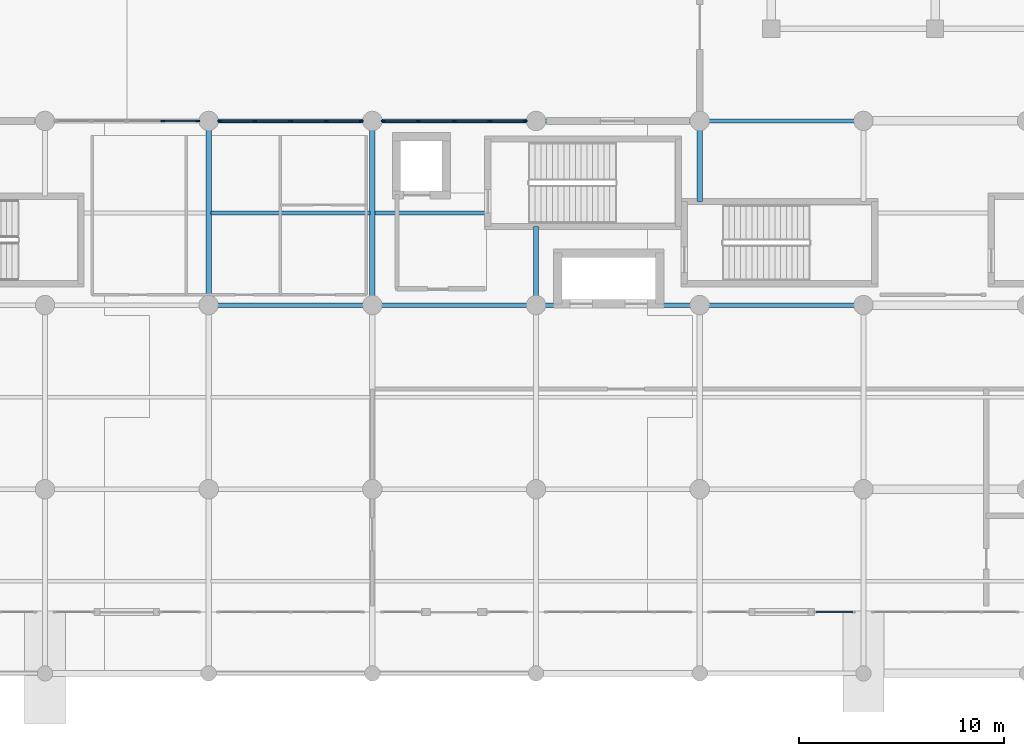
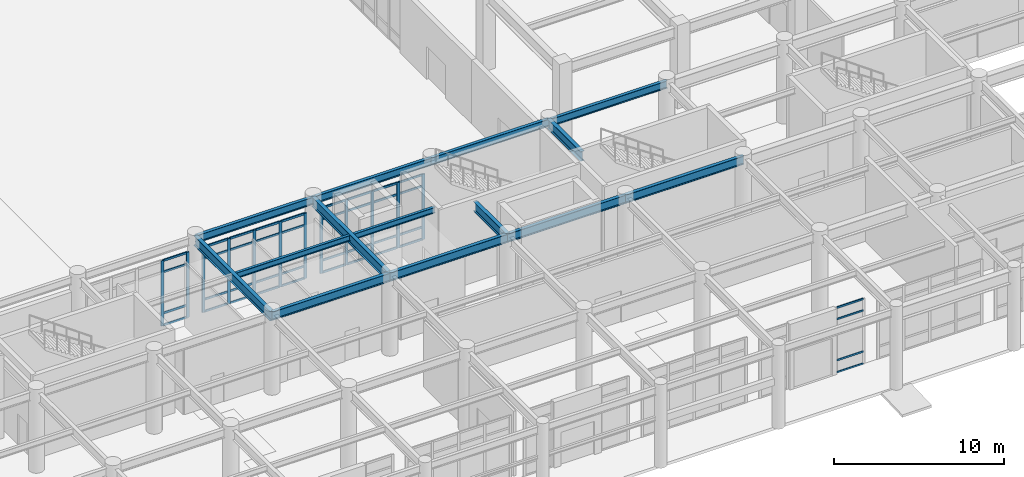
# One storey, part 14 of 49: 52 members, 14 beams, 4 elements without a shape of their own.
"""IFC4 building model written with IfcOpenShell, lengths in metres."""

from ifc_helpers import new_model, si_unit, direction, frame, origin, origin_2d, place, context, subcontext, project, spatial, rectangle, i_section, extrude, material, layer, layer_set, material_profile, profile_set, type_object, element, aggregate, save


model = new_model("IFC4")

# Units and contexts
model_context = context("Model", 3, precision=1e-05, world=origin(), true_north=direction((0.0, 1.0)))
body_context = subcontext(model_context, "Body", "Model", "MODEL_VIEW")
ifc_project = project(units=[si_unit("LENGTHUNIT", "METRE"), si_unit("AREAUNIT", "SQUARE_METRE"), si_unit("VOLUMEUNIT", "CUBIC_METRE"), si_unit("PLANEANGLEUNIT", "RADIAN"), si_unit("MASSUNIT", "GRAM", prefix="KILO")], contexts=[model_context])

# Site, building, storey
site_placement = place(None, origin())
site = spatial("IfcSite", under=ifc_project, at=site_placement, CompositionType="ELEMENT")
building_placement = place(site_placement, origin())
building = spatial("IfcBuilding", under=site, at=building_placement, Name="Tlacozan Convention Centre", CompositionType="ELEMENT")
storey_placement = place(building_placement, origin())
storey = spatial("IfcBuildingStorey", under=building, at=storey_placement, Name="L00", CompositionType="ELEMENT", Elevation=0.0)

# Curtain wall, members
ifc_material_1 = material(Name="Dark Bronze Anodised Aluminium", Category="aluminium")
ifc_layer_1 = layer(ifc_material_1, 0.199951171875)
ifc_layer_set_1 = layer_set([ifc_layer_1], Name="Dark Bronze Anodised Aluminium")
curtain_wall_type_1 = type_object("IfcCurtainWallType", Name="Unitised Courtyard Cloister L00 CW07", PredefinedType="NOTDEFINED", material=ifc_layer_set_1)
curtain_wall_1_placement = place(storey_placement, origin())
curtain_wall_1 = element("IfcCurtainWall", 1, at=curtain_wall_1_placement, inside=storey, type_object=curtain_wall_type_1, Name="L00 CW-07 Run 52", PredefinedType="NOTDEFINED")
ifc_material_profile_1 = material_profile(ifc_material_1, rectangle(XDim=0.074951171875, YDim=0.199951171875, at=origin_2d()), Name="ALU 75x200")
ifc_profile_set_1 = profile_set([ifc_material_profile_1], Name="Dark Bronze Anodised Aluminium")
member_type_1 = type_object("IfcMemberType", Name="Curtain Wall Heavy Mullion 75x200", PredefinedType="MULLION", material=ifc_profile_set_1)
member_1_placement = place(storey_placement, frame((61.75, 27.0, 0.0), z_axis=(0.0, 0.0, 1.0), x_axis=(0.0, 1.0, 0.0)))
member_1 = element("IfcMember", 2, at=member_1_placement, type_object=member_type_1, Name="CW-07 mullion 4", PredefinedType="MULLION", context=body_context, shape_type="SweptSolid", body=[
    extrude(rectangle(XDim=0.074951171875, YDim=0.199951171875, at=origin_2d()), origin(), (0.0, 0.0, 1.0), 4.699951171875),
])
member_2_placement = place(storey_placement, frame((63.46240234375, 27.0, 0.0), z_axis=(0.0, 0.0, 1.0), x_axis=(0.0, 1.0, 0.0)))
member_2 = element("IfcMember", 3, at=member_2_placement, type_object=member_type_1, Name="CW-07 mullion 5", PredefinedType="MULLION", context=body_context, shape_type="SweptSolid", body=[
    extrude(rectangle(XDim=0.074951171875, YDim=0.199951171875, at=origin_2d()), origin(), (0.0, 0.0, 1.0), 4.699951171875),
])

curtain_wall_2_placement = place(storey_placement, origin())
curtain_wall_2 = element("IfcCurtainWall", 4, at=curtain_wall_2_placement, inside=storey, type_object=curtain_wall_type_1, Name="L00 CW-07 Run 53", PredefinedType="NOTDEFINED")
member_3_placement = place(storey_placement, frame((64.53759765625, 27.0, 0.0), z_axis=(0.0, 0.0, 1.0), x_axis=(0.0, 1.0, 0.0)))
member_3 = element("IfcMember", 5, at=member_3_placement, type_object=member_type_1, Name="CW-07 mullion 1", PredefinedType="MULLION", context=body_context, shape_type="SweptSolid", body=[
    extrude(rectangle(XDim=0.074951171875, YDim=0.199951171875, at=origin_2d()), origin(), (0.0, 0.0, 1.0), 4.699951171875),
])
member_4_placement = place(storey_placement, frame((66.25, 27.0, 0.0), z_axis=(0.0, 0.0, 1.0), x_axis=(0.0, 1.0, 0.0)))
member_4 = element("IfcMember", 6, at=member_4_placement, type_object=member_type_1, Name="CW-07 mullion 2", PredefinedType="MULLION", context=body_context, shape_type="SweptSolid", body=[
    extrude(rectangle(XDim=0.074951171875, YDim=0.199951171875, at=origin_2d()), origin(), (0.0, 0.0, 1.0), 4.699951171875),
])
member_5_placement = place(storey_placement, frame((68.0, 27.0, 0.0), z_axis=(0.0, 0.0, 1.0), x_axis=(0.0, 1.0, 0.0)))
member_5 = element("IfcMember", 7, at=member_5_placement, type_object=member_type_1, Name="CW-07 mullion 3", PredefinedType="MULLION", context=body_context, shape_type="SweptSolid", body=[
    extrude(rectangle(XDim=0.074951171875, YDim=0.199951171875, at=origin_2d()), origin(), (0.0, 0.0, 1.0), 4.699951171875),
])
member_6_placement = place(storey_placement, frame((69.75, 27.0, 0.0), z_axis=(0.0, 0.0, 1.0), x_axis=(0.0, 1.0, 0.0)))
member_6 = element("IfcMember", 8, at=member_6_placement, type_object=member_type_1, Name="CW-07 mullion 4", PredefinedType="MULLION", context=body_context, shape_type="SweptSolid", body=[
    extrude(rectangle(XDim=0.074951171875, YDim=0.199951171875, at=origin_2d()), origin(), (0.0, 0.0, 1.0), 4.699951171875),
])
member_7_placement = place(storey_placement, frame((71.46240234375, 27.0, 0.0), z_axis=(0.0, 0.0, 1.0), x_axis=(0.0, 1.0, 0.0)))
member_7 = element("IfcMember", 9, at=member_7_placement, type_object=member_type_1, Name="CW-07 mullion 5", PredefinedType="MULLION", context=body_context, shape_type="SweptSolid", body=[
    extrude(rectangle(XDim=0.074951171875, YDim=0.199951171875, at=origin_2d()), origin(), (0.0, 0.0, 1.0), 4.699951171875),
])

curtain_wall_3_placement = place(storey_placement, origin())
curtain_wall_3 = element("IfcCurtainWall", 10, at=curtain_wall_3_placement, inside=storey, type_object=curtain_wall_type_1, Name="L00 CW-07 Run 54", PredefinedType="NOTDEFINED")
member_8_placement = place(storey_placement, frame((72.53759765625, 27.0, 0.0), z_axis=(0.0, 0.0, 1.0), x_axis=(0.0, 1.0, 0.0)))
member_8 = element("IfcMember", 11, at=member_8_placement, type_object=member_type_1, Name="CW-07 mullion 1", PredefinedType="MULLION", context=body_context, shape_type="SweptSolid", body=[
    extrude(rectangle(XDim=0.074951171875, YDim=0.199951171875, at=origin_2d()), origin(), (0.0, 0.0, 1.0), 4.699951171875),
])
member_9_placement = place(storey_placement, frame((74.25, 27.0, 0.0), z_axis=(0.0, 0.0, 1.0), x_axis=(0.0, 1.0, 0.0)))
member_9 = element("IfcMember", 12, at=member_9_placement, type_object=member_type_1, Name="CW-07 mullion 2", PredefinedType="MULLION", context=body_context, shape_type="SweptSolid", body=[
    extrude(rectangle(XDim=0.074951171875, YDim=0.199951171875, at=origin_2d()), origin(), (0.0, 0.0, 1.0), 4.699951171875),
])
member_10_placement = place(storey_placement, frame((76.0, 27.0, 0.0), z_axis=(0.0, 0.0, 1.0), x_axis=(0.0, 1.0, 0.0)))
member_10 = element("IfcMember", 13, at=member_10_placement, type_object=member_type_1, Name="CW-07 mullion 3", PredefinedType="MULLION", context=body_context, shape_type="SweptSolid", body=[
    extrude(rectangle(XDim=0.074951171875, YDim=0.199951171875, at=origin_2d()), origin(), (0.0, 0.0, 1.0), 4.699951171875),
])
member_11_placement = place(storey_placement, frame((77.75, 27.0, 0.0), z_axis=(0.0, 0.0, 1.0), x_axis=(0.0, 1.0, 0.0)))
member_11 = element("IfcMember", 14, at=member_11_placement, type_object=member_type_1, Name="CW-07 mullion 4", PredefinedType="MULLION", context=body_context, shape_type="SweptSolid", body=[
    extrude(rectangle(XDim=0.074951171875, YDim=0.199951171875, at=origin_2d()), origin(), (0.0, 0.0, 1.0), 4.699951171875),
])
member_12_placement = place(storey_placement, frame((79.46240234375, 27.0, 0.0), z_axis=(0.0, 0.0, 1.0), x_axis=(0.0, 1.0, 0.0)))
member_12 = element("IfcMember", 15, at=member_12_placement, type_object=member_type_1, Name="CW-07 mullion 5", PredefinedType="MULLION", context=body_context, shape_type="SweptSolid", body=[
    extrude(rectangle(XDim=0.074951171875, YDim=0.199951171875, at=origin_2d()), origin(), (0.0, 0.0, 1.0), 4.699951171875),
])

# Member
ifc_material_profile_2 = material_profile(ifc_material_1, rectangle(XDim=0.074951171875, YDim=0.14990234375, at=origin_2d()), Name="ALU 75x150")
ifc_profile_set_2 = profile_set([ifc_material_profile_2], Name="Dark Bronze Anodised Aluminium")
member_type_2 = type_object("IfcMemberType", Name="Curtain Wall Heavy Transom 75x150", PredefinedType="USERDEFINED", material=ifc_profile_set_2)
member_13_placement = place(storey_placement, frame((61.78759765625, 27.0, 0.03759765625), z_axis=(1.0, 0.0, 0.0), x_axis=(0.0, 1.0, 0.0)))
member_13 = element("IfcMember", 16, at=member_13_placement, type_object=member_type_2, Name="CW-07 transom 4.1", ObjectType="TRANSOM", PredefinedType="USERDEFINED", context=body_context, shape_type="SweptSolid", body=[
    extrude(rectangle(XDim=0.074951171875, YDim=0.14990234375, at=origin_2d()), origin(), (0.0, 0.0, 1.0), 1.637451171875),
])

member_14_placement = place(storey_placement, frame((61.78759765625, 27.0, 0.89990234375), z_axis=(1.0, 0.0, 0.0), x_axis=(0.0, 1.0, 0.0)))
member_14 = element("IfcMember", 17, at=member_14_placement, type_object=member_type_2, Name="CW-07 transom 4.2", ObjectType="TRANSOM", PredefinedType="USERDEFINED", context=body_context, shape_type="SweptSolid", body=[
    extrude(rectangle(XDim=0.074951171875, YDim=0.14990234375, at=origin_2d()), origin(), (0.0, 0.0, 1.0), 1.637451171875),
])

member_15_placement = place(storey_placement, frame((61.78759765625, 27.0, 3.85009765625), z_axis=(1.0, 0.0, 0.0), x_axis=(0.0, 1.0, 0.0)))
member_15 = element("IfcMember", 18, at=member_15_placement, type_object=member_type_2, Name="CW-07 transom 4.3", ObjectType="TRANSOM", PredefinedType="USERDEFINED", context=body_context, shape_type="SweptSolid", body=[
    extrude(rectangle(XDim=0.074951171875, YDim=0.14990234375, at=origin_2d()), origin(), (0.0, 0.0, 1.0), 1.637451171875),
])

member_16_placement = place(storey_placement, frame((61.78759765625, 27.0, 4.66259765625), z_axis=(1.0, 0.0, 0.0), x_axis=(0.0, 1.0, 0.0)))
member_16 = element("IfcMember", 19, at=member_16_placement, type_object=member_type_2, Name="CW-07 transom 4.4", ObjectType="TRANSOM", PredefinedType="USERDEFINED", context=body_context, shape_type="SweptSolid", body=[
    extrude(rectangle(XDim=0.074951171875, YDim=0.14990234375, at=origin_2d()), origin(), (0.0, 0.0, 1.0), 1.637451171875),
])

aggregate(curtain_wall_1, [member_1, member_2, member_13, member_14, member_15, member_16])

member_17_placement = place(storey_placement, frame((64.574951171875, 27.0, 0.03759765625), z_axis=(1.0, 0.0, 0.0), x_axis=(0.0, 1.0, 0.0)))
member_17 = element("IfcMember", 20, at=member_17_placement, type_object=member_type_2, Name="CW-07 transom 1.1", ObjectType="TRANSOM", PredefinedType="USERDEFINED", context=body_context, shape_type="SweptSolid", body=[
    extrude(rectangle(XDim=0.074951171875, YDim=0.14990234375, at=origin_2d()), origin(), (0.0, 0.0, 1.0), 1.637451171875),
])

member_18_placement = place(storey_placement, frame((64.574951171875, 27.0, 0.89990234375), z_axis=(1.0, 0.0, 0.0), x_axis=(0.0, 1.0, 0.0)))
member_18 = element("IfcMember", 21, at=member_18_placement, type_object=member_type_2, Name="CW-07 transom 1.2", ObjectType="TRANSOM", PredefinedType="USERDEFINED", context=body_context, shape_type="SweptSolid", body=[
    extrude(rectangle(XDim=0.074951171875, YDim=0.14990234375, at=origin_2d()), origin(), (0.0, 0.0, 1.0), 1.637451171875),
])

member_19_placement = place(storey_placement, frame((64.574951171875, 27.0, 3.85009765625), z_axis=(1.0, 0.0, 0.0), x_axis=(0.0, 1.0, 0.0)))
member_19 = element("IfcMember", 22, at=member_19_placement, type_object=member_type_2, Name="CW-07 transom 1.3", ObjectType="TRANSOM", PredefinedType="USERDEFINED", context=body_context, shape_type="SweptSolid", body=[
    extrude(rectangle(XDim=0.074951171875, YDim=0.14990234375, at=origin_2d()), origin(), (0.0, 0.0, 1.0), 1.637451171875),
])

member_20_placement = place(storey_placement, frame((64.574951171875, 27.0, 4.66259765625), z_axis=(1.0, 0.0, 0.0), x_axis=(0.0, 1.0, 0.0)))
member_20 = element("IfcMember", 23, at=member_20_placement, type_object=member_type_2, Name="CW-07 transom 1.4", ObjectType="TRANSOM", PredefinedType="USERDEFINED", context=body_context, shape_type="SweptSolid", body=[
    extrude(rectangle(XDim=0.074951171875, YDim=0.14990234375, at=origin_2d()), origin(), (0.0, 0.0, 1.0), 1.637451171875),
])

member_21_placement = place(storey_placement, frame((66.28759765625, 27.0, 0.03759765625), z_axis=(1.0, 0.0, 0.0), x_axis=(0.0, 1.0, 0.0)))
member_21 = element("IfcMember", 24, at=member_21_placement, type_object=member_type_2, Name="CW-07 transom 2.1", ObjectType="TRANSOM", PredefinedType="USERDEFINED", context=body_context, shape_type="SweptSolid", body=[
    extrude(rectangle(XDim=0.074951171875, YDim=0.14990234375, at=origin_2d()), origin(), (0.0, 0.0, 1.0), 1.6748046875),
])

member_22_placement = place(storey_placement, frame((66.28759765625, 27.0, 0.89990234375), z_axis=(1.0, 0.0, 0.0), x_axis=(0.0, 1.0, 0.0)))
member_22 = element("IfcMember", 25, at=member_22_placement, type_object=member_type_2, Name="CW-07 transom 2.2", ObjectType="TRANSOM", PredefinedType="USERDEFINED", context=body_context, shape_type="SweptSolid", body=[
    extrude(rectangle(XDim=0.074951171875, YDim=0.14990234375, at=origin_2d()), origin(), (0.0, 0.0, 1.0), 1.6748046875),
])

member_23_placement = place(storey_placement, frame((66.28759765625, 27.0, 3.85009765625), z_axis=(1.0, 0.0, 0.0), x_axis=(0.0, 1.0, 0.0)))
member_23 = element("IfcMember", 26, at=member_23_placement, type_object=member_type_2, Name="CW-07 transom 2.3", ObjectType="TRANSOM", PredefinedType="USERDEFINED", context=body_context, shape_type="SweptSolid", body=[
    extrude(rectangle(XDim=0.074951171875, YDim=0.14990234375, at=origin_2d()), origin(), (0.0, 0.0, 1.0), 1.6748046875),
])

member_24_placement = place(storey_placement, frame((66.28759765625, 27.0, 4.66259765625), z_axis=(1.0, 0.0, 0.0), x_axis=(0.0, 1.0, 0.0)))
member_24 = element("IfcMember", 27, at=member_24_placement, type_object=member_type_2, Name="CW-07 transom 2.4", ObjectType="TRANSOM", PredefinedType="USERDEFINED", context=body_context, shape_type="SweptSolid", body=[
    extrude(rectangle(XDim=0.074951171875, YDim=0.14990234375, at=origin_2d()), origin(), (0.0, 0.0, 1.0), 1.6748046875),
])

member_25_placement = place(storey_placement, frame((68.03759765625, 27.0, 0.03759765625), z_axis=(1.0, 0.0, 0.0), x_axis=(0.0, 1.0, 0.0)))
member_25 = element("IfcMember", 28, at=member_25_placement, type_object=member_type_2, Name="CW-07 transom 3.1", ObjectType="TRANSOM", PredefinedType="USERDEFINED", context=body_context, shape_type="SweptSolid", body=[
    extrude(rectangle(XDim=0.074951171875, YDim=0.14990234375, at=origin_2d()), origin(), (0.0, 0.0, 1.0), 1.6748046875),
])

member_26_placement = place(storey_placement, frame((68.03759765625, 27.0, 0.89990234375), z_axis=(1.0, 0.0, 0.0), x_axis=(0.0, 1.0, 0.0)))
member_26 = element("IfcMember", 29, at=member_26_placement, type_object=member_type_2, Name="CW-07 transom 3.2", ObjectType="TRANSOM", PredefinedType="USERDEFINED", context=body_context, shape_type="SweptSolid", body=[
    extrude(rectangle(XDim=0.074951171875, YDim=0.14990234375, at=origin_2d()), origin(), (0.0, 0.0, 1.0), 1.6748046875),
])

member_27_placement = place(storey_placement, frame((68.03759765625, 27.0, 3.85009765625), z_axis=(1.0, 0.0, 0.0), x_axis=(0.0, 1.0, 0.0)))
member_27 = element("IfcMember", 30, at=member_27_placement, type_object=member_type_2, Name="CW-07 transom 3.3", ObjectType="TRANSOM", PredefinedType="USERDEFINED", context=body_context, shape_type="SweptSolid", body=[
    extrude(rectangle(XDim=0.074951171875, YDim=0.14990234375, at=origin_2d()), origin(), (0.0, 0.0, 1.0), 1.6748046875),
])

member_28_placement = place(storey_placement, frame((68.03759765625, 27.0, 4.66259765625), z_axis=(1.0, 0.0, 0.0), x_axis=(0.0, 1.0, 0.0)))
member_28 = element("IfcMember", 31, at=member_28_placement, type_object=member_type_2, Name="CW-07 transom 3.4", ObjectType="TRANSOM", PredefinedType="USERDEFINED", context=body_context, shape_type="SweptSolid", body=[
    extrude(rectangle(XDim=0.074951171875, YDim=0.14990234375, at=origin_2d()), origin(), (0.0, 0.0, 1.0), 1.6748046875),
])

member_29_placement = place(storey_placement, frame((69.78759765625, 27.0, 0.03759765625), z_axis=(1.0, 0.0, 0.0), x_axis=(0.0, 1.0, 0.0)))
member_29 = element("IfcMember", 32, at=member_29_placement, type_object=member_type_2, Name="CW-07 transom 4.1", ObjectType="TRANSOM", PredefinedType="USERDEFINED", context=body_context, shape_type="SweptSolid", body=[
    extrude(rectangle(XDim=0.074951171875, YDim=0.14990234375, at=origin_2d()), origin(), (0.0, 0.0, 1.0), 1.637451171875),
])

member_30_placement = place(storey_placement, frame((69.78759765625, 27.0, 0.89990234375), z_axis=(1.0, 0.0, 0.0), x_axis=(0.0, 1.0, 0.0)))
member_30 = element("IfcMember", 33, at=member_30_placement, type_object=member_type_2, Name="CW-07 transom 4.2", ObjectType="TRANSOM", PredefinedType="USERDEFINED", context=body_context, shape_type="SweptSolid", body=[
    extrude(rectangle(XDim=0.074951171875, YDim=0.14990234375, at=origin_2d()), origin(), (0.0, 0.0, 1.0), 1.637451171875),
])

member_31_placement = place(storey_placement, frame((69.78759765625, 27.0, 3.85009765625), z_axis=(1.0, 0.0, 0.0), x_axis=(0.0, 1.0, 0.0)))
member_31 = element("IfcMember", 34, at=member_31_placement, type_object=member_type_2, Name="CW-07 transom 4.3", ObjectType="TRANSOM", PredefinedType="USERDEFINED", context=body_context, shape_type="SweptSolid", body=[
    extrude(rectangle(XDim=0.074951171875, YDim=0.14990234375, at=origin_2d()), origin(), (0.0, 0.0, 1.0), 1.637451171875),
])

member_32_placement = place(storey_placement, frame((69.78759765625, 27.0, 4.66259765625), z_axis=(1.0, 0.0, 0.0), x_axis=(0.0, 1.0, 0.0)))
member_32 = element("IfcMember", 35, at=member_32_placement, type_object=member_type_2, Name="CW-07 transom 4.4", ObjectType="TRANSOM", PredefinedType="USERDEFINED", context=body_context, shape_type="SweptSolid", body=[
    extrude(rectangle(XDim=0.074951171875, YDim=0.14990234375, at=origin_2d()), origin(), (0.0, 0.0, 1.0), 1.637451171875),
])

aggregate(curtain_wall_2, [member_3, member_4, member_5, member_6, member_7, member_17, member_18, member_19, member_20, member_21, member_22, member_23, member_24, member_25, member_26, member_27, member_28, member_29, member_30, member_31, member_32])

member_33_placement = place(storey_placement, frame((72.574951171875, 27.0, 0.03759765625), z_axis=(1.0, 0.0, 0.0), x_axis=(0.0, 1.0, 0.0)))
member_33 = element("IfcMember", 36, at=member_33_placement, type_object=member_type_2, Name="CW-07 transom 1.1", ObjectType="TRANSOM", PredefinedType="USERDEFINED", context=body_context, shape_type="SweptSolid", body=[
    extrude(rectangle(XDim=0.074951171875, YDim=0.14990234375, at=origin_2d()), origin(), (0.0, 0.0, 1.0), 1.637451171875),
])

member_34_placement = place(storey_placement, frame((72.574951171875, 27.0, 0.89990234375), z_axis=(1.0, 0.0, 0.0), x_axis=(0.0, 1.0, 0.0)))
member_34 = element("IfcMember", 37, at=member_34_placement, type_object=member_type_2, Name="CW-07 transom 1.2", ObjectType="TRANSOM", PredefinedType="USERDEFINED", context=body_context, shape_type="SweptSolid", body=[
    extrude(rectangle(XDim=0.074951171875, YDim=0.14990234375, at=origin_2d()), origin(), (0.0, 0.0, 1.0), 1.637451171875),
])

member_35_placement = place(storey_placement, frame((72.574951171875, 27.0, 3.85009765625), z_axis=(1.0, 0.0, 0.0), x_axis=(0.0, 1.0, 0.0)))
member_35 = element("IfcMember", 38, at=member_35_placement, type_object=member_type_2, Name="CW-07 transom 1.3", ObjectType="TRANSOM", PredefinedType="USERDEFINED", context=body_context, shape_type="SweptSolid", body=[
    extrude(rectangle(XDim=0.074951171875, YDim=0.14990234375, at=origin_2d()), origin(), (0.0, 0.0, 1.0), 1.637451171875),
])

member_36_placement = place(storey_placement, frame((72.574951171875, 27.0, 4.66259765625), z_axis=(1.0, 0.0, 0.0), x_axis=(0.0, 1.0, 0.0)))
member_36 = element("IfcMember", 39, at=member_36_placement, type_object=member_type_2, Name="CW-07 transom 1.4", ObjectType="TRANSOM", PredefinedType="USERDEFINED", context=body_context, shape_type="SweptSolid", body=[
    extrude(rectangle(XDim=0.074951171875, YDim=0.14990234375, at=origin_2d()), origin(), (0.0, 0.0, 1.0), 1.637451171875),
])

member_37_placement = place(storey_placement, frame((74.28759765625, 27.0, 0.03759765625), z_axis=(1.0, 0.0, 0.0), x_axis=(0.0, 1.0, 0.0)))
member_37 = element("IfcMember", 40, at=member_37_placement, type_object=member_type_2, Name="CW-07 transom 2.1", ObjectType="TRANSOM", PredefinedType="USERDEFINED", context=body_context, shape_type="SweptSolid", body=[
    extrude(rectangle(XDim=0.074951171875, YDim=0.14990234375, at=origin_2d()), origin(), (0.0, 0.0, 1.0), 1.6748046875),
])

member_38_placement = place(storey_placement, frame((74.28759765625, 27.0, 0.89990234375), z_axis=(1.0, 0.0, 0.0), x_axis=(0.0, 1.0, 0.0)))
member_38 = element("IfcMember", 41, at=member_38_placement, type_object=member_type_2, Name="CW-07 transom 2.2", ObjectType="TRANSOM", PredefinedType="USERDEFINED", context=body_context, shape_type="SweptSolid", body=[
    extrude(rectangle(XDim=0.074951171875, YDim=0.14990234375, at=origin_2d()), origin(), (0.0, 0.0, 1.0), 1.6748046875),
])

member_39_placement = place(storey_placement, frame((74.28759765625, 27.0, 3.85009765625), z_axis=(1.0, 0.0, 0.0), x_axis=(0.0, 1.0, 0.0)))
member_39 = element("IfcMember", 42, at=member_39_placement, type_object=member_type_2, Name="CW-07 transom 2.3", ObjectType="TRANSOM", PredefinedType="USERDEFINED", context=body_context, shape_type="SweptSolid", body=[
    extrude(rectangle(XDim=0.074951171875, YDim=0.14990234375, at=origin_2d()), origin(), (0.0, 0.0, 1.0), 1.6748046875),
])

member_40_placement = place(storey_placement, frame((74.28759765625, 27.0, 4.66259765625), z_axis=(1.0, 0.0, 0.0), x_axis=(0.0, 1.0, 0.0)))
member_40 = element("IfcMember", 43, at=member_40_placement, type_object=member_type_2, Name="CW-07 transom 2.4", ObjectType="TRANSOM", PredefinedType="USERDEFINED", context=body_context, shape_type="SweptSolid", body=[
    extrude(rectangle(XDim=0.074951171875, YDim=0.14990234375, at=origin_2d()), origin(), (0.0, 0.0, 1.0), 1.6748046875),
])

member_41_placement = place(storey_placement, frame((76.03759765625, 27.0, 0.03759765625), z_axis=(1.0, 0.0, 0.0), x_axis=(0.0, 1.0, 0.0)))
member_41 = element("IfcMember", 44, at=member_41_placement, type_object=member_type_2, Name="CW-07 transom 3.1", ObjectType="TRANSOM", PredefinedType="USERDEFINED", context=body_context, shape_type="SweptSolid", body=[
    extrude(rectangle(XDim=0.074951171875, YDim=0.14990234375, at=origin_2d()), origin(), (0.0, 0.0, 1.0), 1.6748046875),
])

member_42_placement = place(storey_placement, frame((76.03759765625, 27.0, 0.89990234375), z_axis=(1.0, 0.0, 0.0), x_axis=(0.0, 1.0, 0.0)))
member_42 = element("IfcMember", 45, at=member_42_placement, type_object=member_type_2, Name="CW-07 transom 3.2", ObjectType="TRANSOM", PredefinedType="USERDEFINED", context=body_context, shape_type="SweptSolid", body=[
    extrude(rectangle(XDim=0.074951171875, YDim=0.14990234375, at=origin_2d()), origin(), (0.0, 0.0, 1.0), 1.6748046875),
])

member_43_placement = place(storey_placement, frame((76.03759765625, 27.0, 3.85009765625), z_axis=(1.0, 0.0, 0.0), x_axis=(0.0, 1.0, 0.0)))
member_43 = element("IfcMember", 46, at=member_43_placement, type_object=member_type_2, Name="CW-07 transom 3.3", ObjectType="TRANSOM", PredefinedType="USERDEFINED", context=body_context, shape_type="SweptSolid", body=[
    extrude(rectangle(XDim=0.074951171875, YDim=0.14990234375, at=origin_2d()), origin(), (0.0, 0.0, 1.0), 1.6748046875),
])

member_44_placement = place(storey_placement, frame((76.03759765625, 27.0, 4.66259765625), z_axis=(1.0, 0.0, 0.0), x_axis=(0.0, 1.0, 0.0)))
member_44 = element("IfcMember", 47, at=member_44_placement, type_object=member_type_2, Name="CW-07 transom 3.4", ObjectType="TRANSOM", PredefinedType="USERDEFINED", context=body_context, shape_type="SweptSolid", body=[
    extrude(rectangle(XDim=0.074951171875, YDim=0.14990234375, at=origin_2d()), origin(), (0.0, 0.0, 1.0), 1.6748046875),
])

member_45_placement = place(storey_placement, frame((77.78759765625, 27.0, 0.03759765625), z_axis=(1.0, 0.0, 0.0), x_axis=(0.0, 1.0, 0.0)))
member_45 = element("IfcMember", 48, at=member_45_placement, type_object=member_type_2, Name="CW-07 transom 4.1", ObjectType="TRANSOM", PredefinedType="USERDEFINED", context=body_context, shape_type="SweptSolid", body=[
    extrude(rectangle(XDim=0.074951171875, YDim=0.14990234375, at=origin_2d()), origin(), (0.0, 0.0, 1.0), 1.637451171875),
])

member_46_placement = place(storey_placement, frame((77.78759765625, 27.0, 0.89990234375), z_axis=(1.0, 0.0, 0.0), x_axis=(0.0, 1.0, 0.0)))
member_46 = element("IfcMember", 49, at=member_46_placement, type_object=member_type_2, Name="CW-07 transom 4.2", ObjectType="TRANSOM", PredefinedType="USERDEFINED", context=body_context, shape_type="SweptSolid", body=[
    extrude(rectangle(XDim=0.074951171875, YDim=0.14990234375, at=origin_2d()), origin(), (0.0, 0.0, 1.0), 1.637451171875),
])

member_47_placement = place(storey_placement, frame((77.78759765625, 27.0, 3.85009765625), z_axis=(1.0, 0.0, 0.0), x_axis=(0.0, 1.0, 0.0)))
member_47 = element("IfcMember", 50, at=member_47_placement, type_object=member_type_2, Name="CW-07 transom 4.3", ObjectType="TRANSOM", PredefinedType="USERDEFINED", context=body_context, shape_type="SweptSolid", body=[
    extrude(rectangle(XDim=0.074951171875, YDim=0.14990234375, at=origin_2d()), origin(), (0.0, 0.0, 1.0), 1.637451171875),
])

member_48_placement = place(storey_placement, frame((77.78759765625, 27.0, 4.66259765625), z_axis=(1.0, 0.0, 0.0), x_axis=(0.0, 1.0, 0.0)))
member_48 = element("IfcMember", 51, at=member_48_placement, type_object=member_type_2, Name="CW-07 transom 4.4", ObjectType="TRANSOM", PredefinedType="USERDEFINED", context=body_context, shape_type="SweptSolid", body=[
    extrude(rectangle(XDim=0.074951171875, YDim=0.14990234375, at=origin_2d()), origin(), (0.0, 0.0, 1.0), 1.637451171875),
])

aggregate(curtain_wall_3, [member_8, member_9, member_10, member_11, member_12, member_33, member_34, member_35, member_36, member_37, member_38, member_39, member_40, member_41, member_42, member_43, member_44, member_45, member_46, member_47, member_48])

# Curtain wall, members
ifc_layer_2 = layer(ifc_material_1, 0.159912109375)
ifc_layer_set_2 = layer_set([ifc_layer_2], Name="Dark Bronze Anodised Aluminium")
curtain_wall_type_2 = type_object("IfcCurtainWallType", Name="Unitised Concourse Curtain Wall CW01", PredefinedType="NOTDEFINED", material=ifc_layer_set_2)
curtain_wall_4_placement = place(storey_placement, origin())
curtain_wall_4 = element("IfcCurtainWall", 52, at=curtain_wall_4_placement, inside=storey, type_object=curtain_wall_type_2, Name="L00 CW-01 Run 46", PredefinedType="NOTDEFINED")
ifc_material_profile_3 = material_profile(ifc_material_1, rectangle(XDim=0.06494140625, YDim=0.125, at=origin_2d()), Name="ALU 65x125")
ifc_profile_set_3 = profile_set([ifc_material_profile_3], Name="Dark Bronze Anodised Aluminium")
member_type_3 = type_object("IfcMemberType", Name="Curtain Wall Transom 65x125", PredefinedType="USERDEFINED", material=ifc_profile_set_3)
member_49_placement = place(storey_placement, frame((93.68505859375, 3.0, 0.032470703125), z_axis=(1.0, 0.0, 0.0), x_axis=(0.0, 1.0, 0.0)))
member_49 = element("IfcMember", 53, at=member_49_placement, type_object=member_type_3, Name="CW-01 transom 1.1", ObjectType="TRANSOM", PredefinedType="USERDEFINED", context=body_context, shape_type="SweptSolid", body=[
    extrude(rectangle(XDim=0.06494140625, YDim=0.125, at=origin_2d()), origin(), (0.0, 0.0, 1.0), 1.800048828125),
])
member_50_placement = place(storey_placement, frame((93.68505859375, 3.0, 0.89990234375), z_axis=(1.0, 0.0, 0.0), x_axis=(0.0, 1.0, 0.0)))
member_50 = element("IfcMember", 54, at=member_50_placement, type_object=member_type_3, Name="CW-01 transom 1.2", ObjectType="TRANSOM", PredefinedType="USERDEFINED", context=body_context, shape_type="SweptSolid", body=[
    extrude(rectangle(XDim=0.06494140625, YDim=0.125, at=origin_2d()), origin(), (0.0, 0.0, 1.0), 1.800048828125),
])
member_51_placement = place(storey_placement, frame((93.68505859375, 3.0, 3.85009765625), z_axis=(1.0, 0.0, 0.0), x_axis=(0.0, 1.0, 0.0)))
member_51 = element("IfcMember", 55, at=member_51_placement, type_object=member_type_3, Name="CW-01 transom 1.3", ObjectType="TRANSOM", PredefinedType="USERDEFINED", context=body_context, shape_type="SweptSolid", body=[
    extrude(rectangle(XDim=0.06494140625, YDim=0.125, at=origin_2d()), origin(), (0.0, 0.0, 1.0), 1.800048828125),
])
member_52_placement = place(storey_placement, frame((93.68505859375, 3.0, 4.66748046875), z_axis=(1.0, 0.0, 0.0), x_axis=(0.0, 1.0, 0.0)))
member_52 = element("IfcMember", 56, at=member_52_placement, type_object=member_type_3, Name="CW-01 transom 1.4", ObjectType="TRANSOM", PredefinedType="USERDEFINED", context=body_context, shape_type="SweptSolid", body=[
    extrude(rectangle(XDim=0.06494140625, YDim=0.125, at=origin_2d()), origin(), (0.0, 0.0, 1.0), 1.800048828125),
])
aggregate(curtain_wall_4, [member_49, member_50, member_51, member_52])

# Beams
ifc_material_2 = material(Name="Steel ASTM A992 Grade 50", Category="steel")
ifc_material_profile_4 = material_profile(ifc_material_2, i_section(OverallWidth=0.22900390625, OverallDepth=0.612060546875, WebThickness=0.011962890625, FlangeThickness=0.01953125, FilletRadius=0.012939453125, at=origin_2d()), Name="IR 610x125.0")
ifc_profile_set_4 = profile_set([ifc_material_profile_4], Name="Steel ASTM A992 Grade 50")
beam_type_1 = type_object("IfcBeamType", Name="Floor Beam IR 610x125", PredefinedType="BEAM", material=ifc_profile_set_4)
for number, where, z_axis, x_axis, name in (
    (57, (64.0, 18.0, 5.4140625), (1.0, 0.0, 0.0), (0.0, 1.0, 0.0), "L00 Floor Beam IR 610x125 212"),
    (58, (72.0, 18.0, 5.4140625), (1.0, 0.0, 0.0), (0.0, 1.0, 0.0), "L00 Floor Beam IR 610x125 216"),
    (59, (80.0, 18.0, 5.4140625), (1.0, 0.0, 0.0), (0.0, 1.0, 0.0), "L00 Floor Beam IR 610x125 220"),
    (60, (88.0, 18.0, 5.4140625), (1.0, 0.0, 0.0), (0.0, 1.0, 0.0), "L00 Floor Beam IR 610x125 224"),
):
    element("IfcBeam", number, at=place(storey_placement, frame(where, z_axis=z_axis, x_axis=x_axis)), inside=storey, type_object=beam_type_1, Name=name, PredefinedType="BEAM", context=body_context, shape_type="SweptSolid", body=[
        extrude(i_section(OverallWidth=0.22900390625, OverallDepth=0.612060546875, WebThickness=0.011962890625, FlangeThickness=0.01953125, FilletRadius=0.012939453125, at=origin_2d()), origin(), (0.0, 0.0, 1.0), 8.0),
    ])
ifc_material_profile_5 = material_profile(ifc_material_2, i_section(OverallWidth=0.256103515625, OverallDepth=0.693115234375, WebThickness=0.014404296875, FlangeThickness=0.023681640625, FilletRadius=0.014892578125, at=origin_2d()), Name="IR 686x170.0")
ifc_profile_set_5 = profile_set([ifc_material_profile_5], Name="Steel ASTM A992 Grade 50")
beam_type_2 = type_object("IfcBeamType", Name="Girder Steel IR 686x170", PredefinedType="BEAM", material=ifc_profile_set_5)
for number, where, z_axis, x_axis, name in (
    (61, (64.0, 18.0, 5.37353515625), (0.0, 1.0, 0.0), (-1.0, 0.0, 0.0), "L00 Girder Steel IR 686x170 149"),
    (62, (72.0, 18.0, 5.37353515625), (0.0, 1.0, 0.0), (-1.0, 0.0, 0.0), "L00 Girder Steel IR 686x170 152"),
):
    element("IfcBeam", number, at=place(storey_placement, frame(where, z_axis=z_axis, x_axis=x_axis)), inside=storey, type_object=beam_type_2, Name=name, PredefinedType="BEAM", context=body_context, shape_type="SweptSolid", body=[
        extrude(i_section(OverallWidth=0.256103515625, OverallDepth=0.693115234375, WebThickness=0.014404296875, FlangeThickness=0.023681640625, FilletRadius=0.014892578125, at=origin_2d()), origin(), (0.0, 0.0, 1.0), 9.0),
    ])
beam_1_placement = place(storey_placement, frame((80.0, 18.0, 5.37353515625), z_axis=(0.0, 1.0, 0.0), x_axis=(-1.0, 0.0, 0.0)))
element("IfcBeam", 63, at=beam_1_placement, inside=storey, type_object=beam_type_2, Name="L00 Girder Steel IR 686x170 155", PredefinedType="BEAM", context=body_context, shape_type="SweptSolid", body=[
    extrude(i_section(OverallWidth=0.256103515625, OverallDepth=0.693115234375, WebThickness=0.014404296875, FlangeThickness=0.023681640625, FilletRadius=0.014892578125, at=origin_2d()), origin(), (0.0, 0.0, 1.0), 3.840087890625),
])
beam_2_placement = place(storey_placement, frame((88.0, 23.06005859375, 5.37353515625), z_axis=(0.0, 1.0, 0.0), x_axis=(-1.0, 0.0, 0.0)))
element("IfcBeam", 64, at=beam_2_placement, inside=storey, type_object=beam_type_2, Name="L00 Girder Steel IR 686x170 158", PredefinedType="BEAM", context=body_context, shape_type="SweptSolid", body=[
    extrude(i_section(OverallWidth=0.256103515625, OverallDepth=0.693115234375, WebThickness=0.014404296875, FlangeThickness=0.023681640625, FilletRadius=0.014892578125, at=origin_2d()), origin(), (0.0, 0.0, 1.0), 3.93994140625),
])
ifc_material_profile_6 = material_profile(ifc_material_2, i_section(OverallWidth=0.2109375, OverallDepth=0.5390625, WebThickness=0.01171875, FlangeThickness=0.018798828125, FilletRadius=0.012939453125, at=origin_2d()), Name="IR 533x109.0")
ifc_profile_set_6 = profile_set([ifc_material_profile_6], Name="Steel ASTM A992 Grade 50")
beam_type_3 = type_object("IfcBeamType", Name="Perimeter Spandrel IR 533x109", PredefinedType="SPANDREL", material=ifc_profile_set_6)
for number, where, z_axis, x_axis, name in (
    (65, (64.0, 27.0, 5.450439453125), (1.0, 0.0, 0.0), (0.0, 1.0, 0.0), "L00 Perimeter Spandrel IR 533x109 213"),
    (66, (72.0, 27.0, 5.450439453125), (1.0, 0.0, 0.0), (0.0, 1.0, 0.0), "L00 Perimeter Spandrel IR 533x109 217"),
    (67, (80.0, 27.0, 5.450439453125), (1.0, 0.0, 0.0), (0.0, 1.0, 0.0), "L00 Perimeter Spandrel IR 533x109 221"),
    (68, (88.0, 27.0, 5.390380859375), (1.0, 0.0, 0.0), (0.0, 1.0, 0.0), "L00 Perimeter Spandrel IR 533x109 225"),
):
    element("IfcBeam", number, at=place(storey_placement, frame(where, z_axis=z_axis, x_axis=x_axis)), inside=storey, type_object=beam_type_3, Name=name, PredefinedType="SPANDREL", context=body_context, shape_type="SweptSolid", body=[
        extrude(i_section(OverallWidth=0.2109375, OverallDepth=0.5390625, WebThickness=0.01171875, FlangeThickness=0.018798828125, FilletRadius=0.012939453125, at=origin_2d()), origin(), (0.0, 0.0, 1.0), 8.0),
    ])
ifc_material_profile_7 = material_profile(ifc_material_2, i_section(OverallWidth=0.179931640625, OverallDepth=0.4130859375, WebThickness=0.009765625, FlangeThickness=0.01611328125, FilletRadius=0.010986328125, at=origin_2d()), Name="IR 406x74.4")
ifc_profile_set_7 = profile_set([ifc_material_profile_7], Name="Steel ASTM A992 Grade 50")
beam_type_4 = type_object("IfcBeamType", Name="Secondary Joist IR 406x74.4", PredefinedType="JOIST", material=ifc_profile_set_7)
beam_3_placement = place(storey_placement, frame((64.1259765625, 22.5, 5.513427734375), z_axis=(1.0, 0.0, 0.0), x_axis=(0.0, 1.0, 0.0)))
element("IfcBeam", 69, at=beam_3_placement, inside=storey, type_object=beam_type_4, Name="L00 Secondary Joist IR 406x74.4 247", PredefinedType="JOIST", context=body_context, shape_type="SweptSolid", body=[
    extrude(i_section(OverallWidth=0.179931640625, OverallDepth=0.4130859375, WebThickness=0.009765625, FlangeThickness=0.01611328125, FilletRadius=0.010986328125, at=origin_2d()), origin(), (0.0, 0.0, 1.0), 7.748046875),
])
beam_4_placement = place(storey_placement, frame((72.1259765625, 22.5, 5.513427734375), z_axis=(1.0, 0.0, 0.0), x_axis=(0.0, 1.0, 0.0)))
element("IfcBeam", 70, at=beam_4_placement, inside=storey, type_object=beam_type_4, Name="L00 Secondary Joist IR 406x74.4 250", PredefinedType="JOIST", context=body_context, shape_type="SweptSolid", body=[
    extrude(i_section(OverallWidth=0.179931640625, OverallDepth=0.4130859375, WebThickness=0.009765625, FlangeThickness=0.01611328125, FilletRadius=0.010986328125, at=origin_2d()), origin(), (0.0, 0.0, 1.0), 5.513916015625),
])

save(model, "model.ifc")
